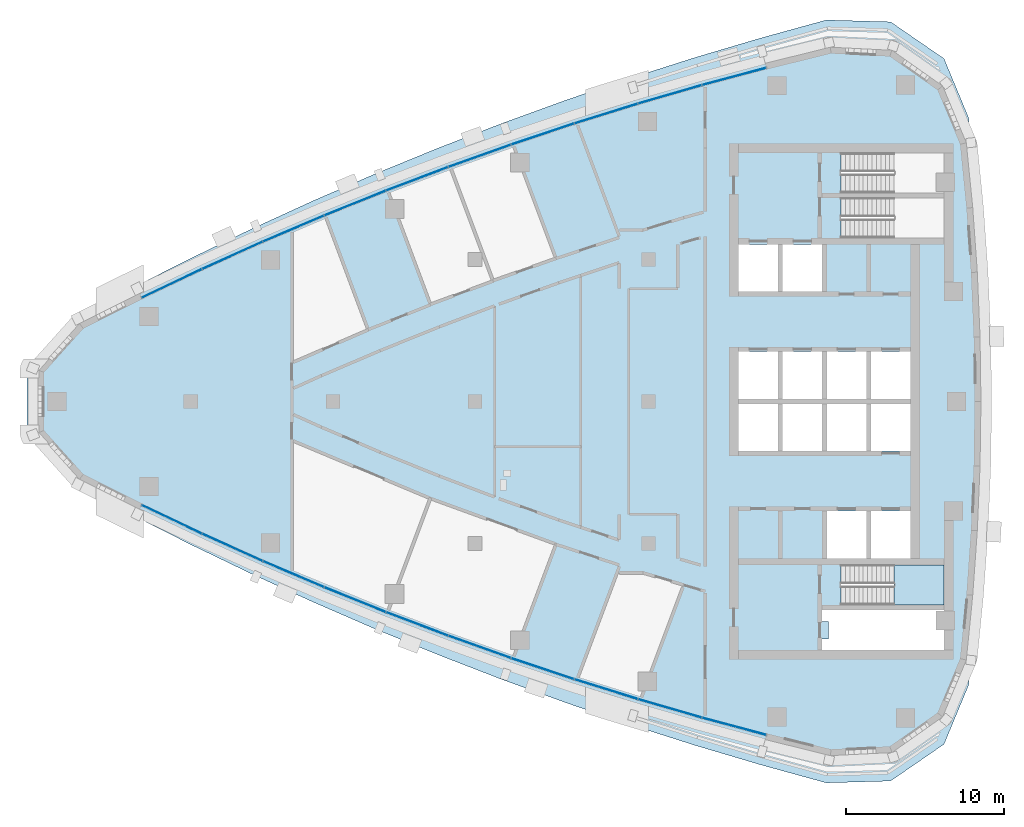
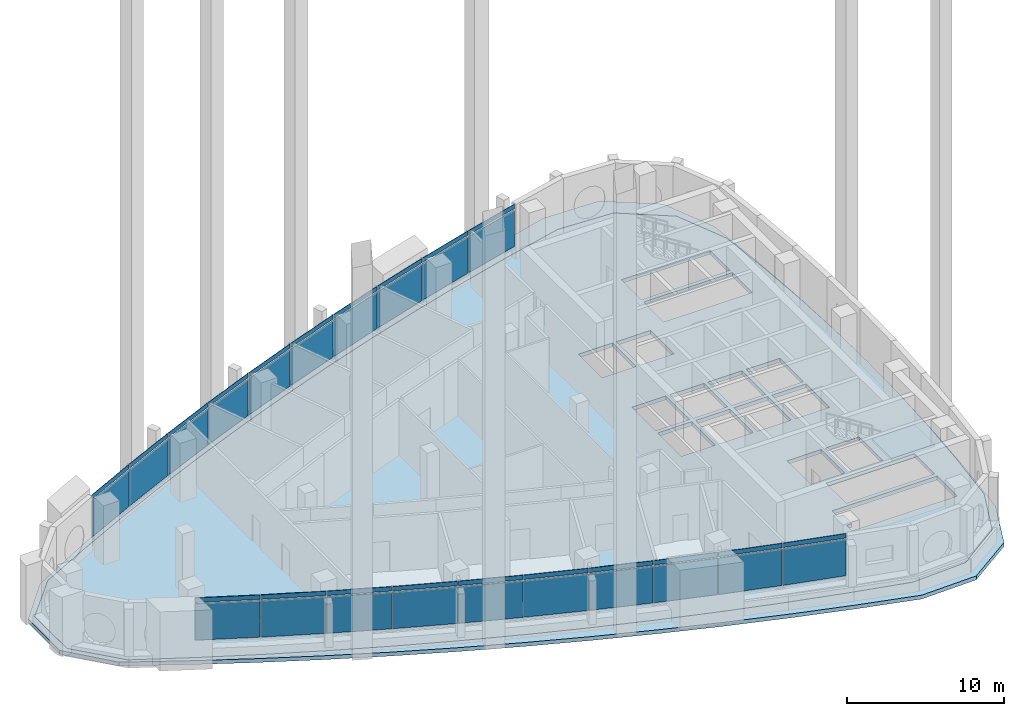
# One storey, part 5 of 15: 40 plates, 3 slabs, 1 opening, 11 elements without a shape of their own.
"""IFC4 building model written with IfcOpenShell, lengths in metres."""

from ifc_helpers import new_model, si_unit, direction, frame, origin, origin_2d, place, context, subcontext, project, spatial, polyline, rectangle, outline, extrude, material, layer, layer_set, type_object, element, aggregate, save


model = new_model("IFC4")

# Units and contexts
model_context = context("Model", 3, precision=1e-05, world=origin(), true_north=direction((0.0, 1.0)))
body_context = subcontext(model_context, "Body", "Model", "MODEL_VIEW")
ifc_project = project(units=[si_unit("LENGTHUNIT", "METRE"), si_unit("AREAUNIT", "SQUARE_METRE"), si_unit("VOLUMEUNIT", "CUBIC_METRE"), si_unit("PLANEANGLEUNIT", "RADIAN"), si_unit("MASSUNIT", "GRAM", prefix="KILO")], contexts=[model_context])

# Site, building, storey
site_placement = place(None, origin())
site = spatial("IfcSite", under=ifc_project, at=site_placement, CompositionType="ELEMENT")
building_placement = place(site_placement, origin())
building = spatial("IfcBuilding", under=site, at=building_placement, Name="Ostrand Prow Hotel Tower", CompositionType="ELEMENT")
storey_placement = place(building_placement, frame((0.0, 0.0, 216.199951171875)))
storey = spatial("IfcBuildingStorey", under=building, at=storey_placement, Name="L54", CompositionType="ELEMENT", Elevation=216.199951171875)

# Curtain wall, plates
ifc_material_1 = material(Name="Insulated glass in bronze anodised frame", Category="glass")
ifc_layer_1 = layer(ifc_material_1, 0.199951171875)
ifc_layer_set_1 = layer_set([ifc_layer_1], Name="Insulated glass in bronze anodised frame")
curtain_wall_type = type_object("IfcCurtainWallType", Name="Sky lobby full-height curtain wall", PredefinedType="NOTDEFINED", material=ifc_layer_set_1)
curtain_wall_1_placement = place(storey_placement, origin())
curtain_wall_1 = element("IfcCurtainWall", 1, at=curtain_wall_1_placement, inside=storey, type_object=curtain_wall_type, Name="CW3 run CWS1", PredefinedType="NOTDEFINED")
ifc_material_2 = material(Name="Low-iron clear glass", Category="glass")
ifc_layer_2 = layer(ifc_material_2, 0.031982421875)
ifc_layer_set_2 = layer_set([ifc_layer_2], Name="Low-iron clear glass")
plate_type_1 = type_object("IfcPlateType", Name="Clear glass unit 32 mm", PredefinedType="CURTAIN_PANEL", material=ifc_layer_set_2)
plate_1_placement = place(storey_placement, frame((14.801025390625, -7.4765625, 1.02001953125), z_axis=(0.0, 0.0, 1.0), x_axis=(0.903370475577, -0.428861030937, 0.0)))
plate_1 = element("IfcPlate", 2, at=plate_1_placement, type_object=plate_type_1, Name="CW3 PN-C panel 1.2", PredefinedType="CURTAIN_PANEL", context=body_context, shape_type="SweptSolid", body=[
    extrude(rectangle(XDim=4.163818359375, YDim=0.031982421875, at=origin_2d()), origin(), (0.0, 0.0, 1.0), 2.820068359375),
])
plate_2_placement = place(storey_placement, frame((14.801025390625, -7.4765625, 3.9599609375), z_axis=(0.0, 0.0, 1.0), x_axis=(0.903370475577, -0.428861030937, 0.0)))
plate_2 = element("IfcPlate", 3, at=plate_2_placement, type_object=plate_type_1, Name="CW3 PN-C panel 1.3", PredefinedType="CURTAIN_PANEL", context=body_context, shape_type="SweptSolid", body=[
    extrude(rectangle(XDim=4.163818359375, YDim=0.031982421875, at=origin_2d()), origin(), (0.0, 0.0, 1.0), 0.340087890625),
])
plate_3_placement = place(storey_placement, frame((18.634521484375, -9.249267578125, 1.02001953125), z_axis=(0.0, 0.0, 1.0), x_axis=(0.911823681514, -0.41058199404, 0.0)))
plate_3 = element("IfcPlate", 4, at=plate_3_placement, type_object=plate_type_1, Name="CW3 PN-C panel 2.2", PredefinedType="CURTAIN_PANEL", context=body_context, shape_type="SweptSolid", body=[
    extrude(rectangle(XDim=4.163818359375, YDim=0.031982421875, at=origin_2d()), origin(), (0.0, 0.0, 1.0), 2.820068359375),
])

curtain_wall_2_placement = place(storey_placement, origin())
curtain_wall_2 = element("IfcCurtainWall", 5, at=curtain_wall_2_placement, inside=storey, type_object=curtain_wall_type, Name="CW3 run CWS2", PredefinedType="NOTDEFINED")
plate_4_placement = place(storey_placement, frame((22.502685546875, -10.944580078125, 1.02001953125), z_axis=(0.0, 0.0, 1.0), x_axis=(0.919907070112, -0.392136433347, 0.0)))
plate_4 = element("IfcPlate", 6, at=plate_4_placement, type_object=plate_type_1, Name="CW3 PN-C panel 1.2", PredefinedType="CURTAIN_PANEL", context=body_context, shape_type="SweptSolid", body=[
    extrude(rectangle(XDim=4.163818359375, YDim=0.031982421875, at=origin_2d()), origin(), (0.0, 0.0, 1.0), 2.820068359375),
])
plate_5_placement = place(storey_placement, frame((26.404541015625, -12.5615234375, 1.02001953125), z_axis=(0.0, 0.0, 1.0), x_axis=(0.927616710972, -0.373533449004, 0.0)))
plate_5 = element("IfcPlate", 7, at=plate_5_placement, type_object=plate_type_1, Name="CW3 PN-C panel 2.2", PredefinedType="CURTAIN_PANEL", context=body_context, shape_type="SweptSolid", body=[
    extrude(rectangle(XDim=4.163818359375, YDim=0.031982421875, at=origin_2d()), origin(), (0.0, 0.0, 1.0), 2.820068359375),
])

curtain_wall_3_placement = place(storey_placement, origin())
curtain_wall_3 = element("IfcCurtainWall", 8, at=curtain_wall_3_placement, inside=storey, type_object=curtain_wall_type, Name="CW3 run CWS3", PredefinedType="NOTDEFINED")
plate_6_placement = place(storey_placement, frame((30.337890625, -14.099609375, 1.02001953125), z_axis=(0.0, 0.0, 1.0), x_axis=(0.934950813567, -0.354777361469, 0.0)))
plate_6 = element("IfcPlate", 9, at=plate_6_placement, type_object=plate_type_1, Name="CW3 PN-C panel 1.2", PredefinedType="CURTAIN_PANEL", context=body_context, shape_type="SweptSolid", body=[
    extrude(rectangle(XDim=4.163818359375, YDim=0.031982421875, at=origin_2d()), origin(), (0.0, 0.0, 1.0), 2.820068359375),
])
plate_7_placement = place(storey_placement, frame((30.337890625, -14.099609375, 3.9599609375), z_axis=(0.0, 0.0, 1.0), x_axis=(0.934950813567, -0.354777361469, 0.0)))
plate_7 = element("IfcPlate", 10, at=plate_7_placement, type_object=plate_type_1, Name="CW3 PN-C panel 1.3", PredefinedType="CURTAIN_PANEL", context=body_context, shape_type="SweptSolid", body=[
    extrude(rectangle(XDim=4.163818359375, YDim=0.031982421875, at=origin_2d()), origin(), (0.0, 0.0, 1.0), 0.340087890625),
])
plate_8_placement = place(storey_placement, frame((34.3017578125, -15.55810546875, 1.02001953125), z_axis=(0.0, 0.0, 1.0), x_axis=(0.941905718922, -0.335877383374, 0.0)))
plate_8 = element("IfcPlate", 11, at=plate_8_placement, type_object=plate_type_1, Name="CW3 PN-C panel 2.2", PredefinedType="CURTAIN_PANEL", context=body_context, shape_type="SweptSolid", body=[
    extrude(rectangle(XDim=4.163818359375, YDim=0.031982421875, at=origin_2d()), origin(), (0.0, 0.0, 1.0), 2.820068359375),
])

curtain_wall_4_placement = place(storey_placement, origin())
curtain_wall_4 = element("IfcCurtainWall", 12, at=curtain_wall_4_placement, inside=storey, type_object=curtain_wall_type, Name="CW3 run CWS4", PredefinedType="NOTDEFINED")
plate_9_placement = place(storey_placement, frame((38.2939453125, -16.9365234375, 1.02001953125), z_axis=(0.0, 0.0, 1.0), x_axis=(0.948478606268, -0.31684118017, 0.0)))
plate_9 = element("IfcPlate", 13, at=plate_9_placement, type_object=plate_type_1, Name="CW3 PN-C panel 1.2", PredefinedType="CURTAIN_PANEL", context=body_context, shape_type="SweptSolid", body=[
    extrude(rectangle(XDim=4.163818359375, YDim=0.031982421875, at=origin_2d()), origin(), (0.0, 0.0, 1.0), 2.820068359375),
])
plate_10_placement = place(storey_placement, frame((42.31298828125, -18.234375, 1.02001953125), z_axis=(0.0, 0.0, 1.0), x_axis=(0.95466629023, -0.297678138765, 0.0)))
plate_10 = element("IfcPlate", 14, at=plate_10_placement, type_object=plate_type_1, Name="CW3 PN-C panel 2.2", PredefinedType="CURTAIN_PANEL", context=body_context, shape_type="SweptSolid", body=[
    extrude(rectangle(XDim=4.163818359375, YDim=0.031982421875, at=origin_2d()), origin(), (0.0, 0.0, 1.0), 2.820068359375),
])

curtain_wall_5_placement = place(storey_placement, origin())
curtain_wall_5 = element("IfcCurtainWall", 15, at=curtain_wall_5_placement, inside=storey, type_object=curtain_wall_type, Name="CW3 run CWS5", PredefinedType="NOTDEFINED")
plate_11_placement = place(storey_placement, frame((46.357666015625, -19.450927734375, 1.02001953125), z_axis=(0.0, 0.0, 1.0), x_axis=(0.960467333745, -0.27839270969, 0.0)))
plate_11 = element("IfcPlate", 16, at=plate_11_placement, type_object=plate_type_1, Name="CW3 PN-C panel 1.2", PredefinedType="CURTAIN_PANEL", context=body_context, shape_type="SweptSolid", body=[
    extrude(rectangle(XDim=4.163818359375, YDim=0.031982421875, at=origin_2d()), origin(), (0.0, 0.0, 1.0), 2.820068359375),
])
plate_12_placement = place(storey_placement, frame((46.357666015625, -19.450927734375, 3.9599609375), z_axis=(0.0, 0.0, 1.0), x_axis=(0.960467333745, -0.27839270969, 0.0)))
plate_12 = element("IfcPlate", 17, at=plate_12_placement, type_object=plate_type_1, Name="CW3 PN-C panel 1.3", PredefinedType="CURTAIN_PANEL", context=body_context, shape_type="SweptSolid", body=[
    extrude(rectangle(XDim=4.163818359375, YDim=0.031982421875, at=origin_2d()), origin(), (0.0, 0.0, 1.0), 0.340087890625),
])
plate_13_placement = place(storey_placement, frame((50.42578125, -20.5859375, 1.02001953125), z_axis=(0.0, 0.0, 1.0), x_axis=(0.965878831034, -0.258994370132, 0.0)))
plate_13 = element("IfcPlate", 18, at=plate_13_placement, type_object=plate_type_1, Name="CW3 PN-C panel 2.2", PredefinedType="CURTAIN_PANEL", context=body_context, shape_type="SweptSolid", body=[
    extrude(rectangle(XDim=4.163818359375, YDim=0.031982421875, at=origin_2d()), origin(), (0.0, 0.0, 1.0), 2.820068359375),
])

curtain_wall_6_placement = place(storey_placement, origin())
curtain_wall_6 = element("IfcCurtainWall", 19, at=curtain_wall_6_placement, inside=storey, type_object=curtain_wall_type, Name="CW3 run CWN1", PredefinedType="NOTDEFINED")
plate_14_placement = place(storey_placement, frame((50.42578125, 20.5859375, 1.02001953125), z_axis=(0.0, 0.0, 1.0), x_axis=(-0.965878831034, -0.258994370132, 0.0)))
plate_14 = element("IfcPlate", 20, at=plate_14_placement, type_object=plate_type_1, Name="CW3 PN-C panel 1.2", PredefinedType="CURTAIN_PANEL", context=body_context, shape_type="SweptSolid", body=[
    extrude(rectangle(XDim=4.163818359375, YDim=0.031982421875, at=origin_2d()), origin(), (0.0, 0.0, 1.0), 2.820068359375),
])
plate_15_placement = place(storey_placement, frame((50.42578125, 20.5859375, 3.9599609375), z_axis=(0.0, 0.0, 1.0), x_axis=(-0.965878831034, -0.258994370132, 0.0)))
plate_15 = element("IfcPlate", 21, at=plate_15_placement, type_object=plate_type_1, Name="CW3 PN-C panel 1.3", PredefinedType="CURTAIN_PANEL", context=body_context, shape_type="SweptSolid", body=[
    extrude(rectangle(XDim=4.163818359375, YDim=0.031982421875, at=origin_2d()), origin(), (0.0, 0.0, 1.0), 0.340087890625),
])
plate_16_placement = place(storey_placement, frame((46.357666015625, 19.450927734375, 1.02001953125), z_axis=(0.0, 0.0, 1.0), x_axis=(-0.960467333745, -0.27839270969, 0.0)))
plate_16 = element("IfcPlate", 22, at=plate_16_placement, type_object=plate_type_1, Name="CW3 PN-C panel 2.2", PredefinedType="CURTAIN_PANEL", context=body_context, shape_type="SweptSolid", body=[
    extrude(rectangle(XDim=4.163818359375, YDim=0.031982421875, at=origin_2d()), origin(), (0.0, 0.0, 1.0), 2.820068359375),
])

curtain_wall_7_placement = place(storey_placement, origin())
curtain_wall_7 = element("IfcCurtainWall", 23, at=curtain_wall_7_placement, inside=storey, type_object=curtain_wall_type, Name="CW3 run CWN2", PredefinedType="NOTDEFINED")
plate_17_placement = place(storey_placement, frame((42.31298828125, 18.234375, 1.02001953125), z_axis=(0.0, 0.0, 1.0), x_axis=(-0.95466629023, -0.297678138765, 0.0)))
plate_17 = element("IfcPlate", 24, at=plate_17_placement, type_object=plate_type_1, Name="CW3 PN-C panel 1.2", PredefinedType="CURTAIN_PANEL", context=body_context, shape_type="SweptSolid", body=[
    extrude(rectangle(XDim=4.163818359375, YDim=0.031982421875, at=origin_2d()), origin(), (0.0, 0.0, 1.0), 2.820068359375),
])
plate_18_placement = place(storey_placement, frame((38.2939453125, 16.9365234375, 1.02001953125), z_axis=(0.0, 0.0, 1.0), x_axis=(-0.948478606268, -0.31684118017, 0.0)))
plate_18 = element("IfcPlate", 25, at=plate_18_placement, type_object=plate_type_1, Name="CW3 PN-C panel 2.2", PredefinedType="CURTAIN_PANEL", context=body_context, shape_type="SweptSolid", body=[
    extrude(rectangle(XDim=4.163818359375, YDim=0.031982421875, at=origin_2d()), origin(), (0.0, 0.0, 1.0), 2.820068359375),
])

curtain_wall_8_placement = place(storey_placement, origin())
curtain_wall_8 = element("IfcCurtainWall", 26, at=curtain_wall_8_placement, inside=storey, type_object=curtain_wall_type, Name="CW3 run CWN3", PredefinedType="NOTDEFINED")
plate_19_placement = place(storey_placement, frame((34.3017578125, 15.55810546875, 1.02001953125), z_axis=(0.0, 0.0, 1.0), x_axis=(-0.941905718922, -0.335877383374, 0.0)))
plate_19 = element("IfcPlate", 27, at=plate_19_placement, type_object=plate_type_1, Name="CW3 PN-C panel 1.2", PredefinedType="CURTAIN_PANEL", context=body_context, shape_type="SweptSolid", body=[
    extrude(rectangle(XDim=4.163818359375, YDim=0.031982421875, at=origin_2d()), origin(), (0.0, 0.0, 1.0), 2.820068359375),
])
plate_20_placement = place(storey_placement, frame((34.3017578125, 15.55810546875, 3.9599609375), z_axis=(0.0, 0.0, 1.0), x_axis=(-0.941905718922, -0.335877383374, 0.0)))
plate_20 = element("IfcPlate", 28, at=plate_20_placement, type_object=plate_type_1, Name="CW3 PN-C panel 1.3", PredefinedType="CURTAIN_PANEL", context=body_context, shape_type="SweptSolid", body=[
    extrude(rectangle(XDim=4.163818359375, YDim=0.031982421875, at=origin_2d()), origin(), (0.0, 0.0, 1.0), 0.340087890625),
])
plate_21_placement = place(storey_placement, frame((30.337890625, 14.099609375, 1.02001953125), z_axis=(0.0, 0.0, 1.0), x_axis=(-0.934950813567, -0.354777361469, 0.0)))
plate_21 = element("IfcPlate", 29, at=plate_21_placement, type_object=plate_type_1, Name="CW3 PN-C panel 2.2", PredefinedType="CURTAIN_PANEL", context=body_context, shape_type="SweptSolid", body=[
    extrude(rectangle(XDim=4.163818359375, YDim=0.031982421875, at=origin_2d()), origin(), (0.0, 0.0, 1.0), 2.820068359375),
])

curtain_wall_9_placement = place(storey_placement, origin())
curtain_wall_9 = element("IfcCurtainWall", 30, at=curtain_wall_9_placement, inside=storey, type_object=curtain_wall_type, Name="CW3 run CWN4", PredefinedType="NOTDEFINED")
plate_22_placement = place(storey_placement, frame((26.404541015625, 12.5615234375, 1.02001953125), z_axis=(0.0, 0.0, 1.0), x_axis=(-0.927616710972, -0.373533449004, 0.0)))
plate_22 = element("IfcPlate", 31, at=plate_22_placement, type_object=plate_type_1, Name="CW3 PN-C panel 1.2", PredefinedType="CURTAIN_PANEL", context=body_context, shape_type="SweptSolid", body=[
    extrude(rectangle(XDim=4.163818359375, YDim=0.031982421875, at=origin_2d()), origin(), (0.0, 0.0, 1.0), 2.820068359375),
])
plate_23_placement = place(storey_placement, frame((22.502685546875, 10.944580078125, 1.02001953125), z_axis=(0.0, 0.0, 1.0), x_axis=(-0.919907070112, -0.392136433347, 0.0)))
plate_23 = element("IfcPlate", 32, at=plate_23_placement, type_object=plate_type_1, Name="CW3 PN-C panel 2.2", PredefinedType="CURTAIN_PANEL", context=body_context, shape_type="SweptSolid", body=[
    extrude(rectangle(XDim=4.163818359375, YDim=0.031982421875, at=origin_2d()), origin(), (0.0, 0.0, 1.0), 2.820068359375),
])

curtain_wall_10_placement = place(storey_placement, origin())
curtain_wall_10 = element("IfcCurtainWall", 33, at=curtain_wall_10_placement, inside=storey, type_object=curtain_wall_type, Name="CW3 run CWN5", PredefinedType="NOTDEFINED")
plate_24_placement = place(storey_placement, frame((18.634521484375, 9.249267578125, 1.02001953125), z_axis=(0.0, 0.0, 1.0), x_axis=(-0.911823681514, -0.41058199404, 0.0)))
plate_24 = element("IfcPlate", 34, at=plate_24_placement, type_object=plate_type_1, Name="CW3 PN-C panel 1.2", PredefinedType="CURTAIN_PANEL", context=body_context, shape_type="SweptSolid", body=[
    extrude(rectangle(XDim=4.163818359375, YDim=0.031982421875, at=origin_2d()), origin(), (0.0, 0.0, 1.0), 2.820068359375),
])
plate_25_placement = place(storey_placement, frame((18.634521484375, 9.249267578125, 3.9599609375), z_axis=(0.0, 0.0, 1.0), x_axis=(-0.911823681514, -0.41058199404, 0.0)))
plate_25 = element("IfcPlate", 35, at=plate_25_placement, type_object=plate_type_1, Name="CW3 PN-C panel 1.3", PredefinedType="CURTAIN_PANEL", context=body_context, shape_type="SweptSolid", body=[
    extrude(rectangle(XDim=4.163818359375, YDim=0.031982421875, at=origin_2d()), origin(), (0.0, 0.0, 1.0), 0.340087890625),
])
plate_26_placement = place(storey_placement, frame((14.801025390625, 7.4765625, 1.02001953125), z_axis=(0.0, 0.0, 1.0), x_axis=(-0.903370475577, -0.428861030937, 0.0)))
plate_26 = element("IfcPlate", 36, at=plate_26_placement, type_object=plate_type_1, Name="CW3 PN-C panel 2.2", PredefinedType="CURTAIN_PANEL", context=body_context, shape_type="SweptSolid", body=[
    extrude(rectangle(XDim=4.163818359375, YDim=0.031982421875, at=origin_2d()), origin(), (0.0, 0.0, 1.0), 2.820068359375),
])

# Plate
ifc_material_3 = material(Name="Ceramic-fritted glass", Category="glass")
ifc_layer_3 = layer(ifc_material_3, 0.031982421875)
ifc_layer_set_3 = layer_set([ifc_layer_3], Name="Ceramic-fritted glass")
plate_type_2 = type_object("IfcPlateType", Name="Dot-fritted ceramic glass unit 32 mm", PredefinedType="CURTAIN_PANEL", material=ifc_layer_set_3)
plate_27_placement = place(storey_placement, frame((18.634521484375, -9.249267578125, 3.9599609375), z_axis=(0.0, 0.0, 1.0), x_axis=(0.911823681514, -0.41058199404, 0.0)))
plate_27 = element("IfcPlate", 37, at=plate_27_placement, type_object=plate_type_2, Name="CW3 PN-D panel 2.3", PredefinedType="CURTAIN_PANEL", context=body_context, shape_type="SweptSolid", body=[
    extrude(rectangle(XDim=4.163818359375, YDim=0.031982421875, at=origin_2d()), origin(), (0.0, 0.0, 1.0), 0.340087890625),
])

aggregate(curtain_wall_1, [plate_1, plate_2, plate_3, plate_27])

plate_28_placement = place(storey_placement, frame((26.404541015625, -12.5615234375, 3.9599609375), z_axis=(0.0, 0.0, 1.0), x_axis=(0.927616710972, -0.373533449004, 0.0)))
plate_28 = element("IfcPlate", 38, at=plate_28_placement, type_object=plate_type_2, Name="CW3 PN-D panel 2.3", PredefinedType="CURTAIN_PANEL", context=body_context, shape_type="SweptSolid", body=[
    extrude(rectangle(XDim=4.163818359375, YDim=0.031982421875, at=origin_2d()), origin(), (0.0, 0.0, 1.0), 0.340087890625),
])

plate_29_placement = place(storey_placement, frame((34.3017578125, -15.55810546875, 3.9599609375), z_axis=(0.0, 0.0, 1.0), x_axis=(0.941905718922, -0.335877383374, 0.0)))
plate_29 = element("IfcPlate", 39, at=plate_29_placement, type_object=plate_type_2, Name="CW3 PN-D panel 2.3", PredefinedType="CURTAIN_PANEL", context=body_context, shape_type="SweptSolid", body=[
    extrude(rectangle(XDim=4.163818359375, YDim=0.031982421875, at=origin_2d()), origin(), (0.0, 0.0, 1.0), 0.340087890625),
])

aggregate(curtain_wall_3, [plate_6, plate_7, plate_8, plate_29])

plate_30_placement = place(storey_placement, frame((42.31298828125, -18.234375, 3.9599609375), z_axis=(0.0, 0.0, 1.0), x_axis=(0.95466629023, -0.297678138765, 0.0)))
plate_30 = element("IfcPlate", 40, at=plate_30_placement, type_object=plate_type_2, Name="CW3 PN-D panel 2.3", PredefinedType="CURTAIN_PANEL", context=body_context, shape_type="SweptSolid", body=[
    extrude(rectangle(XDim=4.163818359375, YDim=0.031982421875, at=origin_2d()), origin(), (0.0, 0.0, 1.0), 0.340087890625),
])

plate_31_placement = place(storey_placement, frame((50.42578125, -20.5859375, 3.9599609375), z_axis=(0.0, 0.0, 1.0), x_axis=(0.965878831034, -0.258994370132, 0.0)))
plate_31 = element("IfcPlate", 41, at=plate_31_placement, type_object=plate_type_2, Name="CW3 PN-D panel 2.3", PredefinedType="CURTAIN_PANEL", context=body_context, shape_type="SweptSolid", body=[
    extrude(rectangle(XDim=4.163818359375, YDim=0.031982421875, at=origin_2d()), origin(), (0.0, 0.0, 1.0), 0.340087890625),
])

aggregate(curtain_wall_5, [plate_11, plate_12, plate_13, plate_31])

plate_32_placement = place(storey_placement, frame((46.357666015625, 19.450927734375, 3.9599609375), z_axis=(0.0, 0.0, 1.0), x_axis=(-0.960467333745, -0.27839270969, 0.0)))
plate_32 = element("IfcPlate", 42, at=plate_32_placement, type_object=plate_type_2, Name="CW3 PN-D panel 2.3", PredefinedType="CURTAIN_PANEL", context=body_context, shape_type="SweptSolid", body=[
    extrude(rectangle(XDim=4.163818359375, YDim=0.031982421875, at=origin_2d()), origin(), (0.0, 0.0, 1.0), 0.340087890625),
])

aggregate(curtain_wall_6, [plate_14, plate_15, plate_16, plate_32])

plate_33_placement = place(storey_placement, frame((38.2939453125, 16.9365234375, 3.9599609375), z_axis=(0.0, 0.0, 1.0), x_axis=(-0.948478606268, -0.31684118017, 0.0)))
plate_33 = element("IfcPlate", 43, at=plate_33_placement, type_object=plate_type_2, Name="CW3 PN-D panel 2.3", PredefinedType="CURTAIN_PANEL", context=body_context, shape_type="SweptSolid", body=[
    extrude(rectangle(XDim=4.163818359375, YDim=0.031982421875, at=origin_2d()), origin(), (0.0, 0.0, 1.0), 0.340087890625),
])

plate_34_placement = place(storey_placement, frame((30.337890625, 14.099609375, 3.9599609375), z_axis=(0.0, 0.0, 1.0), x_axis=(-0.934950813567, -0.354777361469, 0.0)))
plate_34 = element("IfcPlate", 44, at=plate_34_placement, type_object=plate_type_2, Name="CW3 PN-D panel 2.3", PredefinedType="CURTAIN_PANEL", context=body_context, shape_type="SweptSolid", body=[
    extrude(rectangle(XDim=4.163818359375, YDim=0.031982421875, at=origin_2d()), origin(), (0.0, 0.0, 1.0), 0.340087890625),
])

aggregate(curtain_wall_8, [plate_19, plate_20, plate_21, plate_34])

plate_35_placement = place(storey_placement, frame((22.502685546875, 10.944580078125, 3.9599609375), z_axis=(0.0, 0.0, 1.0), x_axis=(-0.919907070112, -0.392136433347, 0.0)))
plate_35 = element("IfcPlate", 45, at=plate_35_placement, type_object=plate_type_2, Name="CW3 PN-D panel 2.3", PredefinedType="CURTAIN_PANEL", context=body_context, shape_type="SweptSolid", body=[
    extrude(rectangle(XDim=4.163818359375, YDim=0.031982421875, at=origin_2d()), origin(), (0.0, 0.0, 1.0), 0.340087890625),
])

plate_36_placement = place(storey_placement, frame((14.801025390625, 7.4765625, 3.9599609375), z_axis=(0.0, 0.0, 1.0), x_axis=(-0.903370475577, -0.428861030937, 0.0)))
plate_36 = element("IfcPlate", 46, at=plate_36_placement, type_object=plate_type_2, Name="CW3 PN-D panel 2.3", PredefinedType="CURTAIN_PANEL", context=body_context, shape_type="SweptSolid", body=[
    extrude(rectangle(XDim=4.163818359375, YDim=0.031982421875, at=origin_2d()), origin(), (0.0, 0.0, 1.0), 0.340087890625),
])

aggregate(curtain_wall_10, [plate_24, plate_25, plate_26, plate_36])

ifc_material_4 = material(Name="Ceramic-fritted glass", Category="glass")
ifc_layer_4 = layer(ifc_material_4, 0.031982421875)
ifc_layer_set_4 = layer_set([ifc_layer_4], Name="Ceramic-fritted glass")
plate_type_3 = type_object("IfcPlateType", Name="Line-fritted ceramic glass unit 32 mm", PredefinedType="CURTAIN_PANEL", material=ifc_layer_set_4)
plate_37_placement = place(storey_placement, frame((22.502685546875, -10.944580078125, 3.9599609375), z_axis=(0.0, 0.0, 1.0), x_axis=(0.919907070112, -0.392136433347, 0.0)))
plate_37 = element("IfcPlate", 47, at=plate_37_placement, type_object=plate_type_3, Name="CW3 PN-L panel 1.3", PredefinedType="CURTAIN_PANEL", context=body_context, shape_type="SweptSolid", body=[
    extrude(rectangle(XDim=4.163818359375, YDim=0.031982421875, at=origin_2d()), origin(), (0.0, 0.0, 1.0), 0.340087890625),
])

aggregate(curtain_wall_2, [plate_4, plate_37, plate_5, plate_28])

plate_38_placement = place(storey_placement, frame((38.2939453125, -16.9365234375, 3.9599609375), z_axis=(0.0, 0.0, 1.0), x_axis=(0.948478606268, -0.31684118017, 0.0)))
plate_38 = element("IfcPlate", 48, at=plate_38_placement, type_object=plate_type_3, Name="CW3 PN-L panel 1.3", PredefinedType="CURTAIN_PANEL", context=body_context, shape_type="SweptSolid", body=[
    extrude(rectangle(XDim=4.163818359375, YDim=0.031982421875, at=origin_2d()), origin(), (0.0, 0.0, 1.0), 0.340087890625),
])

aggregate(curtain_wall_4, [plate_9, plate_38, plate_10, plate_30])

plate_39_placement = place(storey_placement, frame((42.31298828125, 18.234375, 3.9599609375), z_axis=(0.0, 0.0, 1.0), x_axis=(-0.95466629023, -0.297678138765, 0.0)))
plate_39 = element("IfcPlate", 49, at=plate_39_placement, type_object=plate_type_3, Name="CW3 PN-L panel 1.3", PredefinedType="CURTAIN_PANEL", context=body_context, shape_type="SweptSolid", body=[
    extrude(rectangle(XDim=4.163818359375, YDim=0.031982421875, at=origin_2d()), origin(), (0.0, 0.0, 1.0), 0.340087890625),
])

aggregate(curtain_wall_7, [plate_17, plate_39, plate_18, plate_33])

plate_40_placement = place(storey_placement, frame((26.404541015625, 12.5615234375, 3.9599609375), z_axis=(0.0, 0.0, 1.0), x_axis=(-0.927616710972, -0.373533449004, 0.0)))
plate_40 = element("IfcPlate", 50, at=plate_40_placement, type_object=plate_type_3, Name="CW3 PN-L panel 1.3", PredefinedType="CURTAIN_PANEL", context=body_context, shape_type="SweptSolid", body=[
    extrude(rectangle(XDim=4.163818359375, YDim=0.031982421875, at=origin_2d()), origin(), (0.0, 0.0, 1.0), 0.340087890625),
])

aggregate(curtain_wall_9, [plate_22, plate_40, plate_23, plate_35])

# Slab, opening
ifc_material_5 = material(Name="Concrete C40/50", Category="concrete")
ifc_layer_5 = layer(ifc_material_5, 0.300048828125)
ifc_layer_set_5 = layer_set([ifc_layer_5], Name="Concrete C40/50")
slab_type_1 = type_object("IfcSlabType", Name="PT flat plate 300 C40/50", PredefinedType="FLOOR", material=ifc_layer_set_5)
slab_1_placement = place(storey_placement, frame((0.0, 0.0, -0.300048828125)))
slab_1 = element("IfcSlab", 51, at=slab_1_placement, inside=storey, type_object=slab_type_1, Name="Floor slab L54-1", PredefinedType="FLOOR", context=body_context, shape_type="SweptSolid", body=[
    extrude(outline(polyline([(8.85205078125, 5.097412109375), (12.679443359375, 7.009765625), (16.50390625, 8.825439453125), (20.364013671875, 10.563720703125), (24.258544921875, 12.223876953125), (28.185791015625, 13.80517578125), (32.143798828125, 15.30712890625), (36.131591796875, 16.72900390625), (40.14697265625, 18.0703125), (44.188720703125, 19.330810546875), (48.2548828125, 20.50927734375), (52.343994140625, 21.605712890625), (56.4873046875, 22.627685546875), (60.48193359375, 22.4287109375), (63.7822265625, 20.107177734375), (65.320068359375, 16.414794921875), (65.728515625, 12.29736328125), (66.018310546875, 8.20361328125), (66.19189453125, 4.103515625), (66.25, 0.0), (66.19189453125, -4.103515625), (66.018310546875, -8.20361328125), (65.728515625, -12.29736328125), (65.320068359375, -16.414794921875), (63.7822265625, -20.107177734375), (60.48193359375, -22.4287109375), (56.4873046875, -22.627685546875), (52.343994140625, -21.605712890625), (48.2548828125, -20.50927734375), (44.188720703125, -19.330810546875), (40.14697265625, -18.0703125), (36.131591796875, -16.72900390625), (32.143798828125, -15.30712890625), (28.185791015625, -13.80517578125), (24.258544921875, -12.223876953125), (20.364013671875, -10.563720703125), (16.50390625, -8.825439453125), (12.679443359375, -7.009765625), (8.85205078125, -5.097412109375), (6.127685546875, -2.06298828125), (6.127685546875, 2.06298828125), (8.85205078125, 5.097412109375)]), holes=[polyline([(50.699951171875, 6.949951171875), (53.199951171875, 6.949951171875), (53.199951171875, 9.949951171875), (50.699951171875, 9.949951171875), (50.699951171875, 6.949951171875)]), polyline([(53.5, 6.949951171875), (56.0, 6.949951171875), (56.0, 9.949951171875), (53.5, 9.949951171875), (53.5, 6.949951171875)]), polyline([(50.699951171875, 0.14990234375), (53.199951171875, 0.14990234375), (53.199951171875, 3.14990234375), (50.699951171875, 3.14990234375), (50.699951171875, 0.14990234375)]), polyline([(53.5, 0.14990234375), (56.0, 0.14990234375), (56.0, 3.14990234375), (53.5, 3.14990234375), (53.5, 0.14990234375)]), polyline([(56.300048828125, 0.14990234375), (58.800048828125, 0.14990234375), (58.800048828125, 3.14990234375), (56.300048828125, 3.14990234375), (56.300048828125, 0.14990234375)]), polyline([(59.10009765625, 0.14990234375), (61.60009765625, 0.14990234375), (61.60009765625, 3.14990234375), (59.10009765625, 3.14990234375), (59.10009765625, 0.14990234375)]), polyline([(50.699951171875, -3.14990234375), (53.199951171875, -3.14990234375), (53.199951171875, -0.14990234375), (50.699951171875, -0.14990234375), (50.699951171875, -3.14990234375)]), polyline([(53.5, -3.14990234375), (56.0, -3.14990234375), (56.0, -0.14990234375), (53.5, -0.14990234375), (53.5, -3.14990234375)]), polyline([(56.300048828125, -3.14990234375), (58.800048828125, -3.14990234375), (58.800048828125, -0.14990234375), (56.300048828125, -0.14990234375), (56.300048828125, -3.14990234375)]), polyline([(59.10009765625, -3.14990234375), (61.60009765625, -3.14990234375), (61.60009765625, -0.14990234375), (59.10009765625, -0.14990234375), (59.10009765625, -3.14990234375)]), polyline([(56.300048828125, -9.949951171875), (58.800048828125, -9.949951171875), (58.800048828125, -6.949951171875), (56.300048828125, -6.949951171875), (56.300048828125, -9.949951171875)]), polyline([(59.10009765625, -9.949951171875), (61.60009765625, -9.949951171875), (61.60009765625, -6.949951171875), (59.10009765625, -6.949951171875), (59.10009765625, -9.949951171875)]), polyline([(57.200927734375, 10.35107421875), (57.200927734375, 12.89892578125), (63.718994140625, 12.89892578125), (63.718994140625, 10.35107421875), (57.200927734375, 10.35107421875)]), polyline([(57.200927734375, 13.200927734375), (57.200927734375, 15.7490234375), (63.718994140625, 15.7490234375), (63.718994140625, 13.200927734375), (57.200927734375, 13.200927734375)]), polyline([(57.200927734375, -12.89892578125), (57.200927734375, -10.35107421875), (63.718994140625, -10.35107421875), (63.718994140625, -12.89892578125), (57.200927734375, -12.89892578125)]), polyline([(63.719970703125, -13.199951171875), (63.719970703125, -15.75), (56.0, -15.75), (56.0, -15.050048828125), (56.39990234375, -15.050048828125), (56.39990234375, -13.949951171875), (56.0, -13.949951171875), (56.0, -13.199951171875), (63.719970703125, -13.199951171875)])]), origin(), (0.0, 0.0, 1.0), 0.300048828125),
])
opening_placement = place(slab_1_placement, origin())
element("IfcOpeningElement", 52, at=opening_placement, cuts=slab_1, Name="Shaft opening 1", PredefinedType="OPENING", context=body_context, shape_type="SweptSolid", body=[
    extrude(outline(polyline([(63.719970703125, -13.199951171875), (63.719970703125, -15.75), (56.0, -15.75), (56.0, -15.050048828125), (56.39990234375, -15.050048828125), (56.39990234375, -13.949951171875), (56.0, -13.949951171875), (56.0, -13.199951171875), (63.719970703125, -13.199951171875)])), origin(), (0.0, 0.0, 1.0), 0.300048828125),
])

# Slab
ifc_material_6 = material(Name="Concrete C40/50", Category="concrete")
ifc_layer_6 = layer(ifc_material_6, 0.300048828125)
ifc_layer_set_6 = layer_set([ifc_layer_6], Name="Concrete C40/50")
slab_type_2 = type_object("IfcSlabType", Name="Roof slab 300 C40/50", PredefinedType="ROOF", material=ifc_layer_set_6)
slab_2_placement = place(storey_placement, frame((0.0, 0.0, -0.300048828125)))
element("IfcSlab", 53, at=slab_2_placement, inside=storey, type_object=slab_type_2, Name="Ledge roof slab L54.1", PredefinedType="ROOF", context=body_context, shape_type="SweptSolid", body=[
    extrude(outline(polyline([(12.06689453125, 7.07568359375), (15.912841796875, 9.0283203125), (19.797607421875, 10.90283203125), (23.718994140625, 12.698974609375), (27.676025390625, 14.41552734375), (31.666748046875, 16.05224609375), (35.689697265625, 17.6083984375), (39.7431640625, 19.0830078125), (43.8251953125, 20.475830078125), (47.934814453125, 21.7861328125), (52.06982421875, 23.013427734375), (56.26220703125, 24.16650390625), (60.3349609375, 24.0498046875), (63.721435546875, 21.719482421875), (65.2861328125, 17.957275390625), (65.70947265625, 13.453369140625), (66.009765625, 8.974365234375), (66.18994140625, 4.48876953125), (66.23193359375, 1.35595703125), (66.193115234375, 4.103515625), (66.019287109375, 8.20361328125), (65.7294921875, 12.29736328125), (65.321044921875, 16.414794921875), (63.783203125, 20.10791015625), (60.482177734375, 22.4296875), (56.4873046875, 22.62890625), (52.343505859375, 21.606689453125), (48.25439453125, 20.51025390625), (44.188232421875, 19.33154296875), (40.146484375, 18.0712890625), (36.131103515625, 16.72998046875), (32.1435546875, 15.30810546875), (28.185302734375, 13.80615234375), (24.25830078125, 12.224609375), (20.36376953125, 10.564453125), (16.50341796875, 8.826416015625), (12.678955078125, 7.0107421875), (8.851318359375, 5.09814453125), (6.126708984375, 2.0634765625), (6.126708984375, -2.0634765625), (8.851318359375, -5.09814453125), (12.678955078125, -7.0107421875), (16.50341796875, -8.826416015625), (20.36376953125, -10.564453125), (24.25830078125, -12.224609375), (28.185302734375, -13.80615234375), (32.1435546875, -15.30810546875), (36.131103515625, -16.72998046875), (40.146484375, -18.0712890625), (44.188232421875, -19.33154296875), (48.25439453125, -20.51025390625), (52.343505859375, -21.606689453125), (56.4873046875, -22.62890625), (60.482177734375, -22.4296875), (63.783203125, -20.10791015625), (65.321044921875, -16.414794921875), (65.7294921875, -12.29736328125), (66.019287109375, -8.20361328125), (66.193115234375, -4.103515625), (66.23193359375, -1.35595703125), (66.18994140625, -4.48876953125), (66.009765625, -8.974365234375), (65.70947265625, -13.453369140625), (65.2861328125, -17.957275390625), (63.721435546875, -21.719482421875), (60.3349609375, -24.0498046875), (56.26220703125, -24.16650390625), (52.06982421875, -23.013427734375), (47.934814453125, -21.7861328125), (43.8251953125, -20.475830078125), (39.7431640625, -19.0830078125), (35.689697265625, -17.6083984375), (31.666748046875, -16.05224609375), (27.676025390625, -14.41552734375), (23.718994140625, -12.698974609375), (19.797607421875, -10.90283203125), (15.912841796875, -9.0283203125), (12.06689453125, -7.07568359375), (8.22216796875, -5.025634765625), (5.614013671875, -2.014892578125), (5.614013671875, 2.014892578125), (8.22216796875, 5.025634765625), (12.06689453125, 7.07568359375)])), origin(), (0.0, 0.0, 1.0), 0.300048828125),
])

# Stair, slab
ifc_material_7 = material(Name="Concrete C40/50", Category="concrete")
stair_type = type_object("IfcStairType", Name="Exit stair 1200 upper zone", PredefinedType="HALF_TURN_STAIR", material=ifc_material_7)
stair_placement = place(storey_placement, origin())
stair = element("IfcStair", 54, at=stair_placement, inside=storey, type_object=stair_type, Name="L54 ST2C", PredefinedType="HALF_TURN_STAIR")
ifc_material_8 = material(Name="Concrete C40/50", Category="concrete")
ifc_layer_7 = layer(ifc_material_8, 0.199951171875)
ifc_layer_set_7 = layer_set([ifc_layer_7], Name="Concrete C40/50")
slab_type_3 = type_object("IfcSlabType", Name="Stair landing 200 concrete", PredefinedType="LANDING", material=ifc_layer_set_7)
slab_3_placement = place(storey_placement, frame((0.0, 0.0, 2.10009765625)))
slab_3 = element("IfcSlab", 55, at=slab_3_placement, type_object=slab_type_3, Name="ST2C landing 1", PredefinedType="LANDING", context=body_context, shape_type="SweptSolid", body=[
    extrude(outline(polyline([(60.56005859375, -12.89990234375), (63.719970703125, -12.89990234375), (63.719970703125, -10.35009765625), (60.56005859375, -10.35009765625), (60.56005859375, -12.89990234375)])), origin(), (0.0, 0.0, 1.0), 0.199951171875),
])
aggregate(stair, [slab_3])

save(model, "model.ifc")
